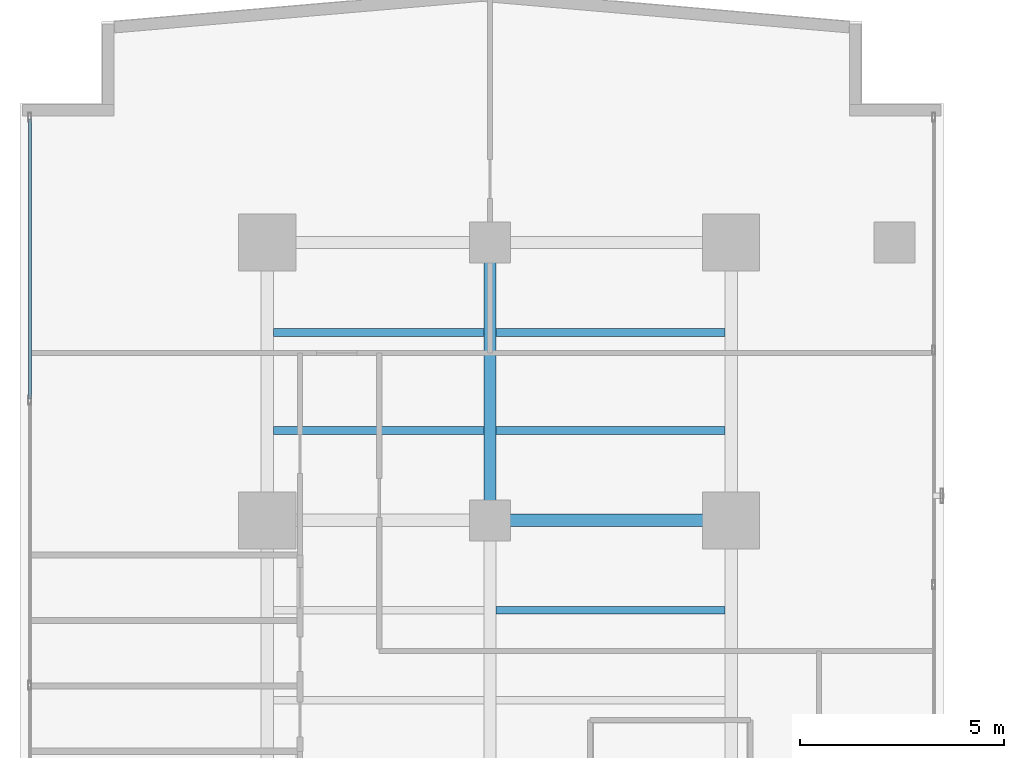
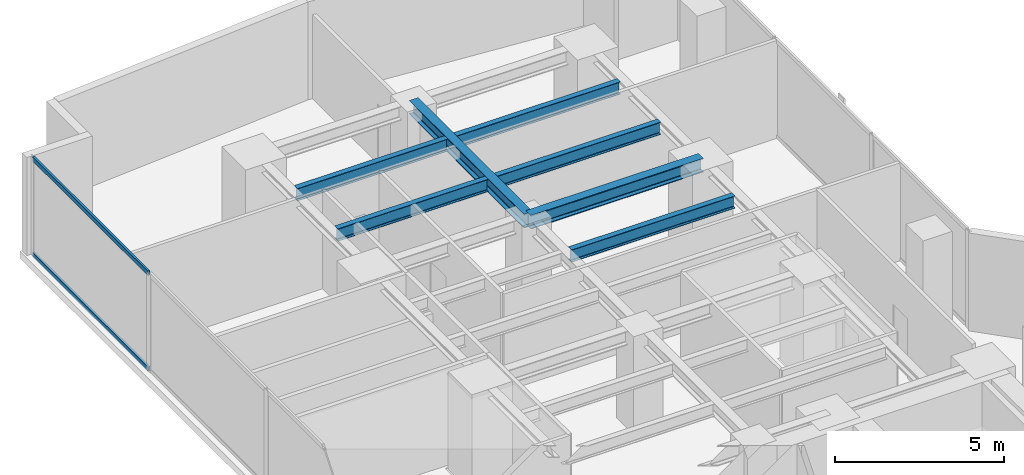
# One storey, part 16 of 28: 7 beams, 2 members, 1 element without a shape of its own.
"""IFC4 building model written with IfcOpenShell, lengths in metres."""

from ifc_helpers import new_model, si_unit, direction, frame, origin, origin_with_axes, origin_2d, place, context, subcontext, project, spatial, hollow_rectangle, i_section, extrude, source, transform, mapped, material, layer, layer_set, material_profile, profile_set, type_object, element, aggregate, save


model = new_model("IFC4")

# Units and contexts
model_context = context("Model", 3, precision=1e-05, world=origin(), true_north=direction((0.0, 1.0)))
body_context = subcontext(model_context, "Body", "Model", "MODEL_VIEW")
ifc_project = project(units=[si_unit("LENGTHUNIT", "METRE"), si_unit("AREAUNIT", "SQUARE_METRE"), si_unit("VOLUMEUNIT", "CUBIC_METRE"), si_unit("PLANEANGLEUNIT", "RADIAN"), si_unit("MASSUNIT", "GRAM", prefix="KILO")], contexts=[model_context])

# Site, building, storey
site_placement = place(None, origin())
site = spatial("IfcSite", under=ifc_project, at=site_placement, CompositionType="ELEMENT")
building_placement = place(site_placement, origin())
building = spatial("IfcBuilding", under=site, at=building_placement, Name="Kolvaren Waterfront Exchange", CompositionType="ELEMENT")
storey_placement = place(building_placement, frame((0.0, 0.0, 133.5)))
storey = spatial("IfcBuildingStorey", under=building, at=storey_placement, Name="L34", CompositionType="ELEMENT", Elevation=133.5)

# Beams
ifc_material_1 = material(Name="Steel S355", Category="steel")
ifc_material_profile_1 = material_profile(ifc_material_1, i_section(OverallWidth=0.300048828125, OverallDepth=0.5, WebThickness=0.014404296875, FlangeThickness=0.028076171875, FilletRadius=0.027099609375, at=origin_2d()), Name="HEB500")
ifc_profile_set_1 = profile_set([ifc_material_profile_1], Name="Steel S355")
beam_type_1 = type_object("IfcBeamType", Name="STR-BM-HEB500", PredefinedType="BEAM", material=ifc_profile_set_1)
beam_1_placement = place(storey_placement, frame((12.89990234375, 37.800048828125, 3.2900390625), z_axis=(1.0, 0.0, 0.0), x_axis=(0.0, 1.0, 0.0)))
element("IfcBeam", 1, at=beam_1_placement, inside=storey, type_object=beam_type_1, Name="L34 north-arm girder 3B", PredefinedType="BEAM", context=body_context, shape_type="SweptSolid", body=[
    extrude(i_section(OverallWidth=0.300048828125, OverallDepth=0.5, WebThickness=0.014404296875, FlangeThickness=0.028076171875, FilletRadius=0.027099609375, at=origin_2d()), origin(), (0.0, 0.0, 1.0), 5.900146484375),
])
beam_2_placement = place(storey_placement, frame((12.89990234375, 37.800048828125, 3.2900390625), z_axis=(0.0, 1.0, 0.0), x_axis=(-1.0, 0.0, 0.0)))
element("IfcBeam", 2, at=beam_2_placement, inside=storey, type_object=beam_type_1, Name="L34 north-arm edge beam 3", PredefinedType="BEAM", context=body_context, shape_type="SweptSolid", body=[
    extrude(i_section(OverallWidth=0.300048828125, OverallDepth=0.5, WebThickness=0.014404296875, FlangeThickness=0.028076171875, FilletRadius=0.027099609375, at=origin_2d()), origin(), (0.0, 0.0, 1.0), 6.800048828125),
])
ifc_material_profile_2 = material_profile(ifc_material_1, i_section(OverallWidth=0.18994140625, OverallDepth=0.449951171875, WebThickness=0.009521484375, FlangeThickness=0.0146484375, FilletRadius=0.02099609375, at=origin_2d()), Name="IPE450")
ifc_profile_set_2 = profile_set([ifc_material_profile_2], Name="Steel S355")
beam_type_2 = type_object("IfcBeamType", Name="STR-BM-IPE450", PredefinedType="JOIST", material=ifc_profile_set_2)
beam_3_placement = place(storey_placement, frame((13.052001953125, 35.60009765625, 3.31494140625), z_axis=(1.0, 0.0, 0.0), x_axis=(0.0, 1.0, 0.0)))
element("IfcBeam", 3, at=beam_3_placement, inside=storey, type_object=beam_type_2, Name="L34 north-arm composite joist 4B", PredefinedType="JOIST", context=body_context, shape_type="SweptSolid", body=[
    extrude(i_section(OverallWidth=0.18994140625, OverallDepth=0.449951171875, WebThickness=0.009521484375, FlangeThickness=0.0146484375, FilletRadius=0.02099609375, at=origin_2d()), origin(), (0.0, 0.0, 1.0), 5.595947265625),
])
beam_4_placement = place(storey_placement, frame((7.60205078125, 40.0, 3.31494140625), z_axis=(1.0, 0.0, 0.0), x_axis=(0.0, 1.0, 0.0)))
element("IfcBeam", 4, at=beam_4_placement, inside=storey, type_object=beam_type_2, Name="L34 north-arm composite joist 5A", PredefinedType="JOIST", context=body_context, shape_type="SweptSolid", body=[
    extrude(i_section(OverallWidth=0.18994140625, OverallDepth=0.449951171875, WebThickness=0.009521484375, FlangeThickness=0.0146484375, FilletRadius=0.02099609375, at=origin_2d()), origin(), (0.0, 0.0, 1.0), 5.14599609375),
])
beam_5_placement = place(storey_placement, frame((13.052001953125, 40.0, 3.31494140625), z_axis=(1.0, 0.0, 0.0), x_axis=(0.0, 1.0, 0.0)))
element("IfcBeam", 5, at=beam_5_placement, inside=storey, type_object=beam_type_2, Name="L34 north-arm composite joist 5B", PredefinedType="JOIST", context=body_context, shape_type="SweptSolid", body=[
    extrude(i_section(OverallWidth=0.18994140625, OverallDepth=0.449951171875, WebThickness=0.009521484375, FlangeThickness=0.0146484375, FilletRadius=0.02099609375, at=origin_2d()), origin(), (0.0, 0.0, 1.0), 5.595947265625),
])
beam_6_placement = place(storey_placement, frame((7.60205078125, 42.39990234375, 3.31494140625), z_axis=(1.0, 0.0, 0.0), x_axis=(0.0, 1.0, 0.0)))
element("IfcBeam", 6, at=beam_6_placement, inside=storey, type_object=beam_type_2, Name="L34 north-arm composite joist 6A", PredefinedType="JOIST", context=body_context, shape_type="SweptSolid", body=[
    extrude(i_section(OverallWidth=0.18994140625, OverallDepth=0.449951171875, WebThickness=0.009521484375, FlangeThickness=0.0146484375, FilletRadius=0.02099609375, at=origin_2d()), origin(), (0.0, 0.0, 1.0), 5.14599609375),
])
beam_7_placement = place(storey_placement, frame((13.052001953125, 42.39990234375, 3.31494140625), z_axis=(1.0, 0.0, 0.0), x_axis=(0.0, 1.0, 0.0)))
element("IfcBeam", 7, at=beam_7_placement, inside=storey, type_object=beam_type_2, Name="L34 north-arm composite joist 6B", PredefinedType="JOIST", context=body_context, shape_type="SweptSolid", body=[
    extrude(i_section(OverallWidth=0.18994140625, OverallDepth=0.449951171875, WebThickness=0.009521484375, FlangeThickness=0.0146484375, FilletRadius=0.02099609375, at=origin_2d()), origin(), (0.0, 0.0, 1.0), 5.595947265625),
])

# Curtain wall, members
ifc_material_2 = material(Name="Anodised aluminium 6063-T6", Category="aluminium")
ifc_layer = layer(ifc_material_2, 0.219970703125, Name="Anodised aluminium 6063-T6")
ifc_layer_set = layer_set([ifc_layer], Name="Anodised aluminium 6063-T6")
curtain_wall_type = type_object("IfcCurtainWallType", Name="ARC-CW-SYS2", PredefinedType="USERDEFINED", material=ifc_layer_set)
curtain_wall_placement = place(storey_placement, origin())
curtain_wall = element("IfcCurtainWall", 8, at=curtain_wall_placement, inside=storey, type_object=curtain_wall_type, Name="L34 stick curtain wall CW2 (CW-L34-W)", ObjectType="STICK CURTAIN WALL", PredefinedType="USERDEFINED")
ifc_material_profile_3 = material_profile(ifc_material_2, hollow_rectangle(XDim=0.074951171875, YDim=0.159912109375, WallThickness=0.00439453125, at=origin_2d()), Name="ALU-TRN-160x75x4.5")
ifc_profile_set_3 = profile_set([ifc_material_profile_3], Name="Anodised aluminium 6063-T6")
member_type = type_object("IfcMemberType", Name="ARC-CWT-160", PredefinedType="USERDEFINED", material=ifc_profile_set_3)
shared_shape = source(origin_with_axes(), body_context, "Body", "SweptSolid", [
    extrude(hollow_rectangle(XDim=0.074951171875, YDim=0.159912109375, WallThickness=0.00439453125, at=origin_2d()), origin(), (0.0, 0.0, 1.0), 6.8466796875),
])
member_1_placement = place(storey_placement, frame((1.639892578125, 40.7734375, 0.03759765625), z_axis=(0.0, 1.0, 0.0), x_axis=(-1.0, 0.0, 0.0)))
member_1 = element("IfcMember", 9, at=member_1_placement, type_object=member_type, Name="CW2 transom 6.1", ObjectType="TRANSOM", PredefinedType="USERDEFINED", context=body_context, shape_type="MappedRepresentation", body=[
    mapped(shared_shape, transform((0.0, 0.0, 0.0), x_axis=(1.0, 0.0, 0.0), y_axis=(0.0, 1.0, 0.0), z_axis=(0.0, 0.0, 1.0), scale=1.0)),
])
member_2_placement = place(storey_placement, frame((1.639892578125, 40.7734375, 3.50244140625), z_axis=(0.0, 1.0, 0.0), x_axis=(-1.0, 0.0, 0.0)))
member_2 = element("IfcMember", 10, at=member_2_placement, type_object=member_type, Name="CW2 transom 6.2", ObjectType="TRANSOM", PredefinedType="USERDEFINED", context=body_context, shape_type="MappedRepresentation", body=[
    mapped(shared_shape, transform((0.0, 0.0, 0.0), x_axis=(1.0, 0.0, 0.0), y_axis=(0.0, 1.0, 0.0), z_axis=(0.0, 0.0, 1.0), scale=1.0)),
])
aggregate(curtain_wall, [member_1, member_2])

save(model, "model.ifc")
